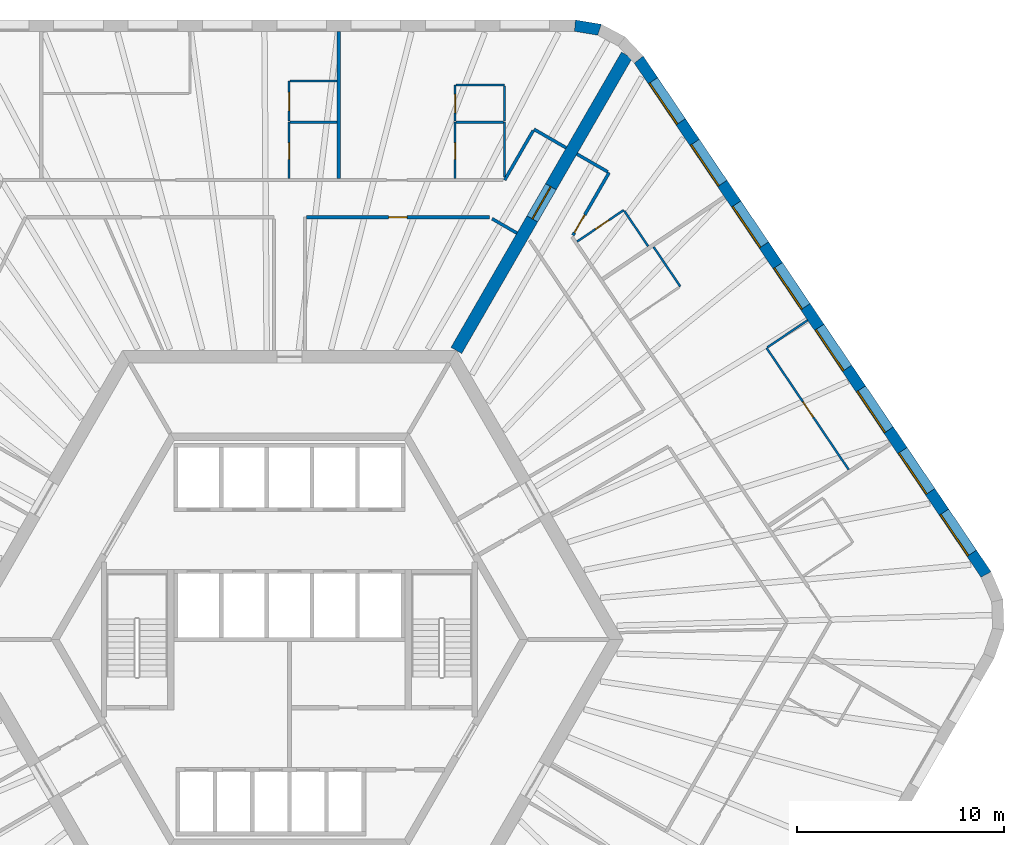
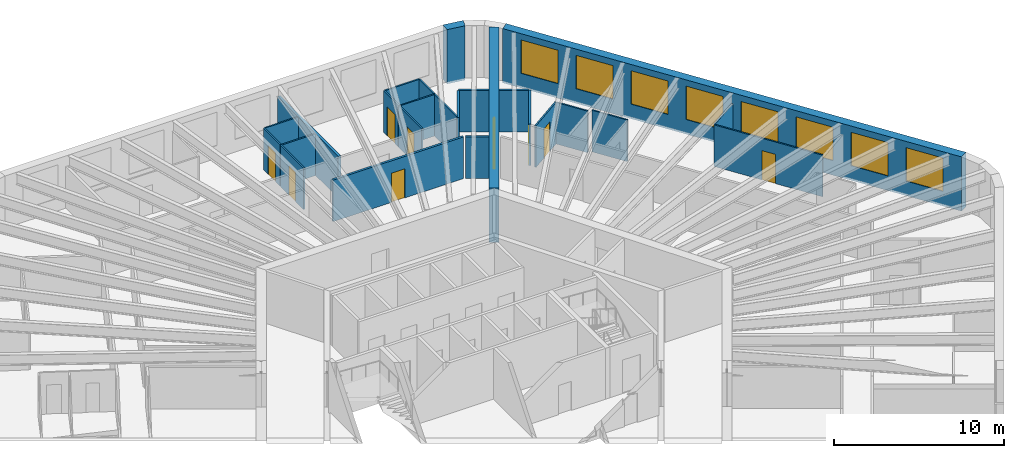
# One storey, part 10 of 12: 25 walls, 9 doors, 8 windows, 17 openings.
"""IFC4 building model written with IfcOpenShell, lengths in metres."""

from ifc_helpers import new_model, si_unit, direction, frame, frame_2d, origin, place, context, subcontext, project, spatial, polyline, rectangle, outline, extrude, material, layer, layer_set, type_object, element, fill, save


model = new_model("IFC4")

# Units and contexts
model_context = context("Model", 3, precision=1e-05, world=origin(), true_north=direction((0.0, 1.0)))
body_context = subcontext(model_context, "Body", "Model", "MODEL_VIEW")
ifc_project = project(units=[si_unit("LENGTHUNIT", "METRE"), si_unit("AREAUNIT", "SQUARE_METRE"), si_unit("VOLUMEUNIT", "CUBIC_METRE"), si_unit("PLANEANGLEUNIT", "RADIAN"), si_unit("MASSUNIT", "GRAM", prefix="KILO")], contexts=[model_context])

# Site, building, storey
site_placement = place(None, origin())
site = spatial("IfcSite", under=ifc_project, at=site_placement, CompositionType="ELEMENT")
building_placement = place(site_placement, origin())
building = spatial("IfcBuilding", under=site, at=building_placement, Name="Tarnside Tower", CompositionType="ELEMENT")
storey_placement = place(building_placement, frame((0.0, 0.0, 96.0)))
storey = spatial("IfcBuildingStorey", under=building, at=storey_placement, Name="L21", CompositionType="ELEMENT", Elevation=96.0)

# Wall, opening, door
ifc_material_1 = material(Name="Gypsum board partition on steel studs", Category="steel")
ifc_layer_1 = layer(ifc_material_1, 0.10009765625)
ifc_layer_set_1 = layer_set([ifc_layer_1], Name="Bathroom wall 100")
wall_type_1 = type_object("IfcWallType", Name="Bathroom wall 100", PredefinedType="PARTITIONING", material=ifc_layer_set_1)
wall_1_placement = place(storey_placement, frame((8.021240234375, 22.324951171875, 0.0), z_axis=(0.0, 0.0, 1.0), x_axis=(0.0, 1.0, 0.0)))
wall_1 = element("IfcWall", 1, at=wall_1_placement, inside=storey, type_object=wall_type_1, Name="Bathroom wall 06076", PredefinedType="PARTITIONING", context=body_context, shape_type="SweptSolid", body=[
    extrude(rectangle(XDim=2.72509765625, YDim=0.10009765625, at=frame_2d((1.362548828125, 0.0))), origin(), (0.0, 0.0, 1.0), 2.98779296875),
])
opening_1_placement = place(wall_1_placement, frame((0.925048828125, 0.0, 0.0)))
opening_1 = element("IfcOpeningElement", 2, at=opening_1_placement, cuts=wall_1, Name="Opening D-B1", PredefinedType="OPENING", context=body_context, shape_type="SweptSolid", body=[
    extrude(rectangle(XDim=0.800048828125, YDim=2.10009765625, at=frame_2d((0.39990234375, 1.050048828125))), frame((0.0, 0.06005859375, 0.0), z_axis=(0.0, -1.0, 0.0), x_axis=(1.0, 0.0, 0.0)), (0.0, 0.0, 1.0), 0.1201171875),
])
ifc_material_2 = material(Name="Timber door leaf", Category="wood")
door_type_1 = type_object("IfcDoorType", Name="Bathroom door 800", OperationType="NOTDEFINED", PredefinedType="DOOR", material=ifc_material_2)
door_1_placement = place(opening_1_placement, origin())
door_1 = element("IfcDoor", 3, at=door_1_placement, inside=storey, type_object=door_type_1, Name="Bathroom door 06002", OperationType="SINGLE_SWING_RIGHT", OverallHeight=2.10009765625, OverallWidth=0.800048828125, PredefinedType="DOOR", context=body_context, shape_type="SweptSolid", body=[
    extrude(rectangle(XDim=0.800048828125, YDim=2.10009765625, at=frame_2d((0.39990234375, 1.050048828125))), frame((0.0, 0.02490234375, 0.0), z_axis=(0.0, -1.0, 0.0), x_axis=(1.0, 0.0, 0.0)), (0.0, 0.0, 1.0), 0.050048828125),
])
fill(opening_1, door_1)

# Walls
wall_2_placement = place(storey_placement, frame((10.421142578125, 25.050048828125, 0.0), z_axis=(0.0, 0.0, 1.0), x_axis=(0.0, -1.0, 0.0)))
element("IfcWall", 4, at=wall_2_placement, inside=storey, type_object=wall_type_1, Name="Bathroom wall 06077", PredefinedType="PARTITIONING", context=body_context, shape_type="SweptSolid", body=[
    extrude(rectangle(XDim=2.650146484375, YDim=0.10009765625, at=frame_2d((1.3251953125, 0.0))), origin(), (0.0, 0.0, 1.0), 2.98779296875),
])
wall_3_placement = place(storey_placement, frame((10.37109375, 25.050048828125, 0.0), z_axis=(0.0, 0.0, 1.0), x_axis=(-1.0, 0.0, 0.0)))
element("IfcWall", 5, at=wall_3_placement, inside=storey, type_object=wall_type_1, Name="Bathroom wall 06084", PredefinedType="PARTITIONING", context=body_context, shape_type="SweptSolid", body=[
    extrude(rectangle(XDim=2.2998046875, YDim=0.10009765625, at=frame_2d((1.14990234375, 0.0))), origin(), (0.0, 0.0, 1.0), 2.98779296875),
])

# Wall, opening, door
wall_4_placement = place(storey_placement, frame((-0.010986328125, 22.324951171875, 0.0), z_axis=(0.0, 0.0, 1.0), x_axis=(0.0, 1.0, 0.0)))
wall_4 = element("IfcWall", 6, at=wall_4_placement, inside=storey, type_object=wall_type_1, Name="Bathroom wall 06085", PredefinedType="PARTITIONING", context=body_context, shape_type="SweptSolid", body=[
    extrude(rectangle(XDim=2.72509765625, YDim=0.10009765625, at=frame_2d((1.362548828125, 0.0))), origin(), (0.0, 0.0, 1.0), 2.98779296875),
])
opening_2_placement = place(wall_4_placement, frame((0.925048828125, 0.0, 0.0)))
opening_2 = element("IfcOpeningElement", 7, at=opening_2_placement, cuts=wall_4, Name="Opening D-B1", PredefinedType="OPENING", context=body_context, shape_type="SweptSolid", body=[
    extrude(rectangle(XDim=0.800048828125, YDim=2.10009765625, at=frame_2d((0.39990234375, 1.050048828125))), frame((0.0, 0.06005859375, 0.0), z_axis=(0.0, -1.0, 0.0), x_axis=(1.0, 0.0, 0.0)), (0.0, 0.0, 1.0), 0.1201171875),
])
door_2_placement = place(opening_2_placement, origin())
door_2 = element("IfcDoor", 8, at=door_2_placement, inside=storey, type_object=door_type_1, Name="Bathroom door 06005", OperationType="SINGLE_SWING_RIGHT", OverallHeight=2.10009765625, OverallWidth=0.800048828125, PredefinedType="DOOR", context=body_context, shape_type="SweptSolid", body=[
    extrude(rectangle(XDim=0.800048828125, YDim=2.10009765625, at=frame_2d((0.39990234375, 1.050048828125))), frame((0.0, 0.02490234375, 0.0), z_axis=(0.0, -1.0, 0.0), x_axis=(1.0, 0.0, 0.0)), (0.0, 0.0, 1.0), 0.050048828125),
])
fill(opening_2, door_2)

# Walls
wall_5_placement = place(storey_placement, frame((2.298828125, 25.050048828125, 0.0), z_axis=(0.0, 0.0, 1.0), x_axis=(-1.0, 0.0, 0.0)))
element("IfcWall", 9, at=wall_5_placement, inside=storey, type_object=wall_type_1, Name="Bathroom wall 06091", PredefinedType="PARTITIONING", context=body_context, shape_type="SweptSolid", body=[
    extrude(rectangle(XDim=2.259765625, YDim=0.10009765625, at=frame_2d((1.1298828125, 0.0))), origin(), (0.0, 0.0, 1.0), 2.98779296875),
])
wall_6_placement = place(storey_placement, frame((17.634521484375, 19.010009765625, 0.0), z_axis=(0.0, 0.0, 1.0), x_axis=(0.559204176839, -0.829029968461, 0.0)))
element("IfcWall", 10, at=wall_6_placement, inside=storey, type_object=wall_type_1, Name="Bathroom wall 06154", PredefinedType="PARTITIONING", context=body_context, shape_type="SweptSolid", body=[
    extrude(rectangle(XDim=2.31005859375, YDim=0.10009765625, at=frame_2d((1.155029296875, 0.0))), origin(), (0.0, 0.0, 1.0), 2.98779296875),
])

# Wall, opening, door
wall_7_placement = place(storey_placement, frame((13.92919921875, 19.27294921875, 0.0), z_axis=(0.0, 0.0, 1.0), x_axis=(0.829047014003, 0.559178905694, 0.0)))
wall_7 = element("IfcWall", 11, at=wall_7_placement, inside=storey, type_object=wall_type_1, Name="Bathroom wall 06161", PredefinedType="PARTITIONING", context=body_context, shape_type="SweptSolid", body=[
    extrude(rectangle(XDim=2.724853515625, YDim=0.10009765625, at=frame_2d((1.3623046875, 0.0))), origin(), (0.0, 0.0, 1.0), 2.98779296875),
])
opening_3_placement = place(wall_7_placement, frame((1.06494140625, 0.0, 0.0)))
opening_3 = element("IfcOpeningElement", 12, at=opening_3_placement, cuts=wall_7, Name="Opening D-B1", PredefinedType="OPENING", context=body_context, shape_type="SweptSolid", body=[
    extrude(rectangle(XDim=0.800048828125, YDim=2.10009765625, at=frame_2d((0.39990234375, 1.050048828125))), frame((0.0, 0.06005859375, 0.0), z_axis=(0.0, -1.0, 0.0), x_axis=(1.0, 0.0, 0.0)), (0.0, 0.0, 1.0), 0.1201171875),
])
door_3_placement = place(opening_3_placement, origin())
door_3 = element("IfcDoor", 13, at=door_3_placement, inside=storey, type_object=door_type_1, Name="Bathroom door 06041", OperationType="SINGLE_SWING_LEFT", OverallHeight=2.10009765625, OverallWidth=0.800048828125, PredefinedType="DOOR", context=body_context, shape_type="SweptSolid", body=[
    extrude(rectangle(XDim=0.800048828125, YDim=2.10009765625, at=frame_2d((0.39990234375, 1.050048828125))), frame((0.0, 0.02490234375, 0.0), z_axis=(0.0, -1.0, 0.0), x_axis=(1.0, 0.0, 0.0)), (0.0, 0.0, 1.0), 0.050048828125),
])
fill(opening_3, door_3)

# Wall
wall_8_placement = place(storey_placement, frame((16.216064453125, 20.755126953125, 0.0), z_axis=(0.0, 0.0, 1.0), x_axis=(0.559259117518, -0.828992906769, 0.0)))
element("IfcWall", 14, at=wall_8_placement, inside=storey, type_object=wall_type_1, Name="Bathroom wall 06162", PredefinedType="PARTITIONING", context=body_context, shape_type="SweptSolid", body=[
    extrude(rectangle(XDim=2.06005859375, YDim=0.10009765625, at=frame_2d((1.030029296875, 0.0))), origin(), (0.0, 0.0, 1.0), 2.98779296875),
])

# Wall, opening, door
ifc_material_3 = material(Name="Concrete C80/95", Category="concrete")
ifc_layer_2 = layer(ifc_material_3, 0.60009765625)
ifc_layer_set_2 = layer_set([ifc_layer_2], Name="Core wall Z1 600 C80/95")
wall_type_2 = type_object("IfcWallType", Name="Core wall Z1 600 C80/95", PredefinedType="SHEAR", material=ifc_layer_set_2)
wall_9_placement = place(storey_placement, frame((8.0830078125, 14.0, -0.14990234375), z_axis=(0.0, 0.0, 1.0), x_axis=(0.499997680643, 0.866026742862, 0.0)))
wall_9 = element("IfcWall", 15, at=wall_9_placement, inside=storey, type_object=wall_type_2, Name="L21 spine wall 1", PredefinedType="SHEAR", context=body_context, shape_type="SweptSolid", body=[
    extrude(rectangle(XDim=16.5087890625, YDim=0.60009765625, at=frame_2d((8.25439453125, 0.0))), origin(), (0.0, 0.0, 1.0), 3.89990234375),
])
opening_4_placement = place(wall_9_placement, frame((7.3544921875, 0.0, 0.14990234375)))
opening_4 = element("IfcOpeningElement", 16, at=opening_4_placement, cuts=wall_9, Name="Opening CD-SPN", PredefinedType="OPENING", context=body_context, shape_type="SweptSolid", body=[
    extrude(rectangle(XDim=1.800048828125, YDim=2.39990234375, at=frame_2d((0.89990234375, 1.199951171875))), frame((0.0, 0.31005859375, 0.0), z_axis=(0.0, -1.0, 0.0), x_axis=(1.0, 0.0, 0.0)), (0.0, 0.0, 1.0), 0.6201171875),
])
ifc_material_4 = material(Name="Steel fire door", Category="steel")
door_type_2 = type_object("IfcDoorType", Name="Spine passage double door FD60 1800x2400", OperationType="NOTDEFINED", PredefinedType="DOOR", material=ifc_material_4)
door_4_placement = place(opening_4_placement, origin())
door_4 = element("IfcDoor", 17, at=door_4_placement, inside=storey, type_object=door_type_2, Name="L21 spine passage door 1", OperationType="DOUBLE_DOOR_SINGLE_SWING", OverallHeight=2.39990234375, OverallWidth=1.800048828125, PredefinedType="DOOR", context=body_context, shape_type="SweptSolid", body=[
    extrude(rectangle(XDim=1.800048828125, YDim=2.39990234375, at=frame_2d((0.89990234375, 1.199951171875))), frame((0.0, 0.02490234375, 0.0), z_axis=(0.0, -1.0, 0.0), x_axis=(1.0, 0.0, 0.0)), (0.0, 0.0, 1.0), 0.050048828125),
])
fill(opening_4, door_4)

# Walls
ifc_layer_3 = layer(ifc_material_1, 0.14990234375)
ifc_layer_set_3 = layer_set([ifc_layer_3], Name="Corridor wall 150 EI 60")
wall_type_3 = type_object("IfcWallType", Name="Corridor wall 150 EI 60", PredefinedType="PARTITIONING", material=ifc_layer_set_3)
wall_10_placement = place(storey_placement, frame((13.400390625, 23.81005859375, 0.0), z_axis=(0.0, 0.0, 1.0), x_axis=(-0.865989075817, 0.500062916607, 0.0)))
element("IfcWall", 18, at=wall_10_placement, inside=storey, type_object=wall_type_3, Name="Corridor wall 06002", PredefinedType="PARTITIONING", context=body_context, shape_type="SweptSolid", body=[
    extrude(rectangle(XDim=1.800048828125, YDim=0.14990234375, at=frame_2d((0.89990234375, 0.0))), origin(), (0.0, 0.0, 1.0), 2.98779296875),
])
wall_11_placement = place(storey_placement, frame((11.803955078125, 24.64501953125, 0.0), z_axis=(0.0, 0.0, 1.0), x_axis=(-0.500012835235, -0.866017993231, 0.0)))
element("IfcWall", 19, at=wall_11_placement, inside=storey, type_object=wall_type_3, Name="Corridor wall 06003", PredefinedType="PARTITIONING", context=body_context, shape_type="SweptSolid", body=[
    extrude(rectangle(XDim=2.765625, YDim=0.14990234375, at=frame_2d((1.3828125, 0.0))), origin(), (0.0, 0.0, 1.0), 2.98779296875),
])

# Wall, opening, door
wall_12_placement = place(storey_placement, frame((0.824951171875, 20.449951171875, 0.0), z_axis=(0.0, 0.0, 1.0), x_axis=(1.0, 0.0, 0.0)))
wall_12 = element("IfcWall", 20, at=wall_12_placement, inside=storey, type_object=wall_type_3, Name="Corridor wall 06021", PredefinedType="PARTITIONING", context=body_context, shape_type="SweptSolid", body=[
    extrude(rectangle(XDim=8.860107421875, YDim=0.14990234375, at=frame_2d((4.43017578125, 0.0))), origin(), (0.0, 0.0, 1.0), 2.98779296875),
])
opening_5_placement = place(wall_12_placement, frame((3.97998046875, 0.0, 0.0)))
opening_5 = element("IfcOpeningElement", 21, at=opening_5_placement, cuts=wall_12, Name="Opening D-S1", PredefinedType="OPENING", context=body_context, shape_type="SweptSolid", body=[
    extrude(rectangle(XDim=0.89990234375, YDim=2.10009765625, at=frame_2d((0.449951171875, 1.050048828125))), frame((0.0, 0.0849609375, 0.0), z_axis=(0.0, -1.0, 0.0), x_axis=(1.0, 0.0, 0.0)), (0.0, 0.0, 1.0), 0.169921875),
])
door_type_3 = type_object("IfcDoorType", Name="Service room door 900 FD30S", OperationType="NOTDEFINED", PredefinedType="DOOR", material=ifc_material_2)
door_5_placement = place(opening_5_placement, origin())
door_5 = element("IfcDoor", 22, at=door_5_placement, inside=storey, type_object=door_type_3, Name="Service door 06044", OperationType="SINGLE_SWING_LEFT", OverallHeight=2.10009765625, OverallWidth=0.89990234375, PredefinedType="DOOR", context=body_context, shape_type="SweptSolid", body=[
    extrude(rectangle(XDim=0.89990234375, YDim=2.10009765625, at=frame_2d((0.449951171875, 1.050048828125))), frame((0.0, 0.02490234375, 0.0), z_axis=(0.0, -1.0, 0.0), x_axis=(1.0, 0.0, 0.0)), (0.0, 0.0, 1.0), 0.050048828125),
])
fill(opening_5, door_5)

# Wall
wall_13_placement = place(storey_placement, frame((9.81494140625, 20.375, 0.0), z_axis=(0.0, 0.0, 1.0), x_axis=(0.86600392025, -0.500037208726, 0.0)))
element("IfcWall", 23, at=wall_13_placement, inside=storey, type_object=wall_type_3, Name="Corridor wall 06022", PredefinedType="PARTITIONING", context=body_context, shape_type="SweptSolid", body=[
    extrude(rectangle(XDim=1.3876953125, YDim=0.14990234375, at=frame_2d((0.69384765625, 0.0))), origin(), (0.0, 0.0, 1.0), 2.98779296875),
])

# Wall, opening, door
wall_14_placement = place(storey_placement, frame((13.72607421875, 19.573974609375, 0.0), z_axis=(0.0, 0.0, 1.0), x_axis=(0.499951531933, 0.866053385028, 0.0)))
wall_14 = element("IfcWall", 24, at=wall_14_placement, inside=storey, type_object=wall_type_3, Name="Corridor wall 06063", PredefinedType="PARTITIONING", context=body_context, shape_type="SweptSolid", body=[
    extrude(rectangle(XDim=3.505615234375, YDim=0.14990234375, at=frame_2d((1.7529296875, 0.0))), origin(), (0.0, 0.0, 1.0), 2.98779296875),
])
opening_6_placement = place(wall_14_placement, frame((0.14990234375, 0.0, 0.0)))
opening_6 = element("IfcOpeningElement", 25, at=opening_6_placement, cuts=wall_14, Name="Opening D-E1", PredefinedType="OPENING", context=body_context, shape_type="SweptSolid", body=[
    extrude(rectangle(XDim=1.0, YDim=2.10009765625, at=frame_2d((0.5, 1.050048828125))), frame((0.0, 0.0849609375, 0.0), z_axis=(0.0, -1.0, 0.0), x_axis=(1.0, 0.0, 0.0)), (0.0, 0.0, 1.0), 0.169921875),
])
door_type_4 = type_object("IfcDoorType", Name="Unit entrance door 1000 FD30S", OperationType="NOTDEFINED", PredefinedType="DOOR", material=ifc_material_2)
door_6_placement = place(opening_6_placement, origin())
door_6 = element("IfcDoor", 26, at=door_6_placement, inside=storey, type_object=door_type_4, Name="Unit door 06040", OperationType="SINGLE_SWING_LEFT", OverallHeight=2.10009765625, OverallWidth=1.0, PredefinedType="DOOR", context=body_context, shape_type="SweptSolid", body=[
    extrude(rectangle(XDim=1.0, YDim=2.10009765625, at=frame_2d((0.5, 1.050048828125))), frame((0.0, 0.02490234375, 0.0), z_axis=(0.0, -1.0, 0.0), x_axis=(1.0, 0.0, 0.0)), (0.0, 0.0, 1.0), 0.050048828125),
])
fill(opening_6, door_6)

# Walls
wall_15_placement = place(storey_placement, frame((15.413818359375, 22.647705078125, 0.0), z_axis=(0.0, 0.0, 1.0), x_axis=(-0.866074815912, 0.499914405916, 0.0)))
element("IfcWall", 27, at=wall_15_placement, inside=storey, type_object=wall_type_3, Name="Corridor wall 06064", PredefinedType="PARTITIONING", context=body_context, shape_type="SweptSolid", body=[
    extrude(rectangle(XDim=1.724853515625, YDim=0.14990234375, at=frame_2d((0.8623046875, 0.0))), origin(), (0.0, 0.0, 1.0), 2.98779296875),
])
ifc_layer_4 = layer(ifc_material_1, 0.179931640625)
ifc_layer_set_4 = layer_set([ifc_layer_4], Name="Demising wall 180 EI 60")
wall_type_4 = type_object("IfcWallType", Name="Demising wall 180 EI 60", PredefinedType="PARTITIONING", material=ifc_layer_set_4)
wall_16_placement = place(storey_placement, frame((2.388916015625, 29.449951171875, 0.0), z_axis=(0.0, 0.0, 1.0), x_axis=(0.0, -1.0, 0.0)))
element("IfcWall", 28, at=wall_16_placement, inside=storey, type_object=wall_type_4, Name="Demising wall 06081", PredefinedType="PARTITIONING", context=body_context, shape_type="SweptSolid", body=[
    extrude(rectangle(XDim=7.125, YDim=0.179931640625, at=frame_2d((3.5625, 0.0))), origin(), (0.0, 0.0, 1.0), 2.98779296875),
])

# Wall, opening, door
ifc_layer_5 = layer(ifc_material_1, 0.10009765625)
ifc_layer_set_5 = layer_set([ifc_layer_5], Name="Partition 100")
wall_type_5 = type_object("IfcWallType", Name="Partition 100", PredefinedType="PARTITIONING", material=ifc_layer_set_5)
wall_17_placement = place(storey_placement, frame((8.021240234375, 25.10009765625, 0.0), z_axis=(0.0, 0.0, 1.0), x_axis=(0.0, 1.0, 0.0)))
wall_17 = element("IfcWall", 29, at=wall_17_placement, inside=storey, type_object=wall_type_5, Name="Partition wall 06078", PredefinedType="PARTITIONING", context=body_context, shape_type="SweptSolid", body=[
    extrude(rectangle(XDim=1.75, YDim=0.10009765625, at=frame_2d((0.875, 0.0))), origin(), (0.0, 0.0, 1.0), 2.98779296875),
])
opening_7_placement = place(wall_17_placement, frame((0.39990234375, 0.0, 0.0)))
opening_7 = element("IfcOpeningElement", 30, at=opening_7_placement, cuts=wall_17, Name="Opening D-I1", PredefinedType="OPENING", context=body_context, shape_type="SweptSolid", body=[
    extrude(rectangle(XDim=0.89990234375, YDim=2.10009765625, at=frame_2d((0.449951171875, 1.050048828125))), frame((0.0, 0.06005859375, 0.0), z_axis=(0.0, -1.0, 0.0), x_axis=(1.0, 0.0, 0.0)), (0.0, 0.0, 1.0), 0.1201171875),
])
door_type_5 = type_object("IfcDoorType", Name="Internal door 900", OperationType="NOTDEFINED", PredefinedType="DOOR", material=ifc_material_2)
door_7_placement = place(opening_7_placement, origin())
door_7 = element("IfcDoor", 31, at=door_7_placement, inside=storey, type_object=door_type_5, Name="Internal door 06003", OperationType="SINGLE_SWING_RIGHT", OverallHeight=2.10009765625, OverallWidth=0.89990234375, PredefinedType="DOOR", context=body_context, shape_type="SweptSolid", body=[
    extrude(rectangle(XDim=0.89990234375, YDim=2.10009765625, at=frame_2d((0.449951171875, 1.050048828125))), frame((0.0, 0.02490234375, 0.0), z_axis=(0.0, -1.0, 0.0), x_axis=(1.0, 0.0, 0.0)), (0.0, 0.0, 1.0), 0.050048828125),
])
fill(opening_7, door_7)

# Walls
wall_18_placement = place(storey_placement, frame((8.0712890625, 26.85009765625, 0.0), z_axis=(0.0, 0.0, 1.0), x_axis=(1.0, 0.0, 0.0)))
element("IfcWall", 32, at=wall_18_placement, inside=storey, type_object=wall_type_5, Name="Partition wall 06079", PredefinedType="PARTITIONING", context=body_context, shape_type="SweptSolid", body=[
    extrude(rectangle(XDim=2.349853515625, YDim=0.10009765625, at=frame_2d((1.1748046875, 0.0))), origin(), (0.0, 0.0, 1.0), 2.98779296875),
])
wall_19_placement = place(storey_placement, frame((10.421142578125, 26.800048828125, 0.0), z_axis=(0.0, 0.0, 1.0), x_axis=(0.0, -1.0, 0.0)))
element("IfcWall", 33, at=wall_19_placement, inside=storey, type_object=wall_type_5, Name="Partition wall 06080", PredefinedType="PARTITIONING", context=body_context, shape_type="SweptSolid", body=[
    extrude(rectangle(XDim=1.699951171875, YDim=0.10009765625, at=frame_2d((0.85009765625, 0.0))), origin(), (0.0, 0.0, 1.0), 2.98779296875),
])

# Wall, opening, door
wall_20_placement = place(storey_placement, frame((-0.010986328125, 25.10009765625, 0.0), z_axis=(0.0, 0.0, 1.0), x_axis=(0.0, 1.0, 0.0)))
wall_20 = element("IfcWall", 34, at=wall_20_placement, inside=storey, type_object=wall_type_5, Name="Partition wall 06086", PredefinedType="PARTITIONING", context=body_context, shape_type="SweptSolid", body=[
    extrude(rectangle(XDim=1.949951171875, YDim=0.10009765625, at=frame_2d((0.97509765625, 0.0))), origin(), (0.0, 0.0, 1.0), 2.98779296875),
])
opening_8_placement = place(wall_20_placement, frame((0.5, 0.0, 0.0)))
opening_8 = element("IfcOpeningElement", 35, at=opening_8_placement, cuts=wall_20, Name="Opening D-I1", PredefinedType="OPENING", context=body_context, shape_type="SweptSolid", body=[
    extrude(rectangle(XDim=0.89990234375, YDim=2.10009765625, at=frame_2d((0.449951171875, 1.050048828125))), frame((0.0, 0.06005859375, 0.0), z_axis=(0.0, -1.0, 0.0), x_axis=(1.0, 0.0, 0.0)), (0.0, 0.0, 1.0), 0.1201171875),
])
door_8_placement = place(opening_8_placement, origin())
door_8 = element("IfcDoor", 36, at=door_8_placement, inside=storey, type_object=door_type_5, Name="Internal door 06006", OperationType="SINGLE_SWING_RIGHT", OverallHeight=2.10009765625, OverallWidth=0.89990234375, PredefinedType="DOOR", context=body_context, shape_type="SweptSolid", body=[
    extrude(rectangle(XDim=0.89990234375, YDim=2.10009765625, at=frame_2d((0.449951171875, 1.050048828125))), frame((0.0, 0.02490234375, 0.0), z_axis=(0.0, -1.0, 0.0), x_axis=(1.0, 0.0, 0.0)), (0.0, 0.0, 1.0), 0.050048828125),
])
fill(opening_8, door_8)

# Wall
wall_21_placement = place(storey_placement, frame((0.0390625, 27.050048828125, 0.0), z_axis=(0.0, 0.0, 1.0), x_axis=(1.0, 0.0, 0.0)))
element("IfcWall", 37, at=wall_21_placement, inside=storey, type_object=wall_type_5, Name="Partition wall 06087", PredefinedType="PARTITIONING", context=body_context, shape_type="SweptSolid", body=[
    extrude(rectangle(XDim=2.259765625, YDim=0.10009765625, at=frame_2d((1.1298828125, 0.0))), origin(), (0.0, 0.0, 1.0), 2.98779296875),
])

# Wall, opening, door
wall_22_placement = place(storey_placement, frame((27.07861328125, 8.227783203125, 0.0), z_axis=(0.0, 0.0, 1.0), x_axis=(-0.559200948469, 0.829032146078, 0.0)))
wall_22 = element("IfcWall", 38, at=wall_22_placement, inside=storey, type_object=wall_type_5, Name="Partition wall 06156", PredefinedType="PARTITIONING", context=body_context, shape_type="SweptSolid", body=[
    extrude(rectangle(XDim=7.10986328125, YDim=0.10009765625, at=frame_2d((3.554931640625, 0.0))), origin(), (0.0, 0.0, 1.0), 2.98779296875),
])
opening_9_placement = place(wall_22_placement, frame((3.06005859375, 0.0, 0.0)))
opening_9 = element("IfcOpeningElement", 39, at=opening_9_placement, cuts=wall_22, Name="Opening D-I1", PredefinedType="OPENING", context=body_context, shape_type="SweptSolid", body=[
    extrude(rectangle(XDim=0.89990234375, YDim=2.10009765625, at=frame_2d((0.449951171875, 1.050048828125))), frame((0.0, 0.06005859375, 0.0), z_axis=(0.0, -1.0, 0.0), x_axis=(1.0, 0.0, 0.0)), (0.0, 0.0, 1.0), 0.1201171875),
])
door_9_placement = place(opening_9_placement, origin())
door_9 = element("IfcDoor", 40, at=door_9_placement, inside=storey, type_object=door_type_5, Name="Internal door 06039", OperationType="SINGLE_SWING_RIGHT", OverallHeight=2.10009765625, OverallWidth=0.89990234375, PredefinedType="DOOR", context=body_context, shape_type="SweptSolid", body=[
    extrude(rectangle(XDim=0.89990234375, YDim=2.10009765625, at=frame_2d((0.449951171875, 1.050048828125))), frame((0.0, 0.02490234375, 0.0), z_axis=(0.0, -1.0, 0.0), x_axis=(1.0, 0.0, 0.0)), (0.0, 0.0, 1.0), 0.050048828125),
])
fill(opening_9, door_9)

# Wall
wall_23_placement = place(storey_placement, frame((23.14404296875, 14.150146484375, 0.0), z_axis=(0.0, 0.0, 1.0), x_axis=(0.829065408555, 0.559151632687, 0.0)))
element("IfcWall", 41, at=wall_23_placement, inside=storey, type_object=wall_type_5, Name="Partition wall 06157", PredefinedType="PARTITIONING", context=body_context, shape_type="SweptSolid", body=[
    extrude(rectangle(XDim=2.349853515625, YDim=0.10009765625, at=frame_2d((1.1748046875, 0.0))), origin(), (0.0, 0.0, 1.0), 2.98779296875),
])

# Wall, openings, windows
ifc_material_5 = material(Name="Facing brick", Category="masonry")
ifc_layer_6 = layer(ifc_material_5, 0.10205078125)
ifc_material_6 = material(Name="Concrete C60/75 precast", Category="concrete")
ifc_layer_7 = layer(ifc_material_6, 0.347900390625)
ifc_material_7 = material(Name="Mineral wool insulation")
ifc_layer_8 = layer(ifc_material_7, 0.10009765625)
ifc_layer_set_6 = layer_set([ifc_layer_6, ifc_layer_7, ifc_layer_8], Name="Tube wall 550 brick faced")
wall_type_6 = type_object("IfcWallType", Name="Tube wall 550 brick faced", PredefinedType="SOLIDWALL", material=ifc_layer_set_6)
wall_24_placement = place(storey_placement, frame((33.72802734375, 3.153076171875, -0.14990234375), z_axis=(0.0, 0.0, 1.0), x_axis=(-0.559192411416, 0.82903790445, 0.0)))
wall_24 = element("IfcWall", 42, at=wall_24_placement, inside=storey, type_object=wall_type_6, Name="Tube wall L21 F6 flush 20", PredefinedType="SOLIDWALL", context=body_context, shape_type="SweptSolid", body=[
    extrude(outline(polyline([(-0.025634765625, -0.27490234375), (30.09326171875, -0.27490234375), (30.04833984375, 0.27490234375), (0.025634765625, 0.27490234375), (-0.025634765625, -0.27490234375)])), origin(), (0.0, 0.0, 1.0), 3.89990234375),
])
opening_10_placement = place(wall_24_placement, frame((1.235595703125, 0.0, 1.050048828125)))
opening_10 = element("IfcOpeningElement", 43, at=opening_10_placement, cuts=wall_24, Name="Opening WH", PredefinedType="OPENING", context=body_context, shape_type="SweptSolid", body=[
    extrude(rectangle(XDim=2.39990234375, YDim=2.39990234375, at=frame_2d((1.199951171875, 1.199951171875))), frame((0.0, 0.28515625, 0.0), z_axis=(0.0, -1.0, 0.0), x_axis=(1.0, 0.0, 0.0)), (0.0, 0.0, 1.0), 0.570068359375),
])
opening_11_placement = place(wall_24_placement, frame((4.83544921875, 0.0, 1.050048828125)))
opening_11 = element("IfcOpeningElement", 44, at=opening_11_placement, cuts=wall_24, Name="Opening WH", PredefinedType="OPENING", context=body_context, shape_type="SweptSolid", body=[
    extrude(rectangle(XDim=2.39990234375, YDim=2.39990234375, at=frame_2d((1.199951171875, 1.199951171875))), frame((0.0, 0.28515625, 0.0), z_axis=(0.0, -1.0, 0.0), x_axis=(1.0, 0.0, 0.0)), (0.0, 0.0, 1.0), 0.570068359375),
])
opening_12_placement = place(wall_24_placement, frame((8.435546875, 0.0, 1.050048828125)))
opening_12 = element("IfcOpeningElement", 45, at=opening_12_placement, cuts=wall_24, Name="Opening WH", PredefinedType="OPENING", context=body_context, shape_type="SweptSolid", body=[
    extrude(rectangle(XDim=2.39990234375, YDim=2.39990234375, at=frame_2d((1.199951171875, 1.199951171875))), frame((0.0, 0.28515625, 0.0), z_axis=(0.0, -1.0, 0.0), x_axis=(1.0, 0.0, 0.0)), (0.0, 0.0, 1.0), 0.570068359375),
])
opening_13_placement = place(wall_24_placement, frame((12.035400390625, 0.0, 1.050048828125)))
opening_13 = element("IfcOpeningElement", 46, at=opening_13_placement, cuts=wall_24, Name="Opening WH", PredefinedType="OPENING", context=body_context, shape_type="SweptSolid", body=[
    extrude(rectangle(XDim=2.39990234375, YDim=2.39990234375, at=frame_2d((1.199951171875, 1.199951171875))), frame((0.0, 0.28515625, 0.0), z_axis=(0.0, -1.0, 0.0), x_axis=(1.0, 0.0, 0.0)), (0.0, 0.0, 1.0), 0.570068359375),
])
opening_14_placement = place(wall_24_placement, frame((15.635498046875, 0.0, 1.050048828125)))
opening_14 = element("IfcOpeningElement", 47, at=opening_14_placement, cuts=wall_24, Name="Opening WH", PredefinedType="OPENING", context=body_context, shape_type="SweptSolid", body=[
    extrude(rectangle(XDim=2.39990234375, YDim=2.39990234375, at=frame_2d((1.199951171875, 1.199951171875))), frame((0.0, 0.28515625, 0.0), z_axis=(0.0, -1.0, 0.0), x_axis=(1.0, 0.0, 0.0)), (0.0, 0.0, 1.0), 0.570068359375),
])
opening_15_placement = place(wall_24_placement, frame((19.235595703125, 0.0, 1.050048828125)))
opening_15 = element("IfcOpeningElement", 48, at=opening_15_placement, cuts=wall_24, Name="Opening WH", PredefinedType="OPENING", context=body_context, shape_type="SweptSolid", body=[
    extrude(rectangle(XDim=2.39990234375, YDim=2.39990234375, at=frame_2d((1.199951171875, 1.199951171875))), frame((0.0, 0.28515625, 0.0), z_axis=(0.0, -1.0, 0.0), x_axis=(1.0, 0.0, 0.0)), (0.0, 0.0, 1.0), 0.570068359375),
])
opening_16_placement = place(wall_24_placement, frame((22.83544921875, 0.0, 1.050048828125)))
opening_16 = element("IfcOpeningElement", 49, at=opening_16_placement, cuts=wall_24, Name="Opening WH", PredefinedType="OPENING", context=body_context, shape_type="SweptSolid", body=[
    extrude(rectangle(XDim=2.39990234375, YDim=2.39990234375, at=frame_2d((1.199951171875, 1.199951171875))), frame((0.0, 0.28515625, 0.0), z_axis=(0.0, -1.0, 0.0), x_axis=(1.0, 0.0, 0.0)), (0.0, 0.0, 1.0), 0.570068359375),
])
opening_17_placement = place(wall_24_placement, frame((26.435546875, 0.0, 1.050048828125)))
opening_17 = element("IfcOpeningElement", 50, at=opening_17_placement, cuts=wall_24, Name="Opening WH", PredefinedType="OPENING", context=body_context, shape_type="SweptSolid", body=[
    extrude(rectangle(XDim=2.39990234375, YDim=2.39990234375, at=frame_2d((1.199951171875, 1.199951171875))), frame((0.0, 0.28515625, 0.0), z_axis=(0.0, -1.0, 0.0), x_axis=(1.0, 0.0, 0.0)), (0.0, 0.0, 1.0), 0.570068359375),
])
ifc_material_8 = material(Name="Aluminium-framed double glazing", Category="aluminium")
window_type = type_object("IfcWindowType", Name="Hotel window 2400 x 2400", PartitioningType="DOUBLE_PANEL_VERTICAL", PredefinedType="WINDOW", material=ifc_material_8)
window_1_placement = place(opening_10_placement, frame((0.0, 0.205078125, 0.0)))
window_1 = element("IfcWindow", 51, at=window_1_placement, inside=storey, type_object=window_type, Name="E.WN.L21.F6.00", OverallHeight=2.39990234375, OverallWidth=2.39990234375, PartitioningType="DOUBLE_PANEL_VERTICAL", PredefinedType="WINDOW", context=body_context, shape_type="SweptSolid", body=[
    extrude(rectangle(XDim=2.39990234375, YDim=2.39990234375, at=frame_2d((1.199951171875, 1.199951171875))), frame((0.0, 0.030029296875, 0.0), z_axis=(0.0, -1.0, 0.0), x_axis=(1.0, 0.0, 0.0)), (0.0, 0.0, 1.0), 0.06005859375),
])
fill(opening_10, window_1)
window_2_placement = place(opening_11_placement, frame((0.0, 0.205078125, 0.0)))
window_2 = element("IfcWindow", 52, at=window_2_placement, inside=storey, type_object=window_type, Name="E.WN.L21.F6.01", OverallHeight=2.39990234375, OverallWidth=2.39990234375, PartitioningType="DOUBLE_PANEL_VERTICAL", PredefinedType="WINDOW", context=body_context, shape_type="SweptSolid", body=[
    extrude(rectangle(XDim=2.39990234375, YDim=2.39990234375, at=frame_2d((1.199951171875, 1.199951171875))), frame((0.0, 0.030029296875, 0.0), z_axis=(0.0, -1.0, 0.0), x_axis=(1.0, 0.0, 0.0)), (0.0, 0.0, 1.0), 0.06005859375),
])
fill(opening_11, window_2)
window_3_placement = place(opening_12_placement, frame((0.0, 0.205078125, 0.0)))
window_3 = element("IfcWindow", 53, at=window_3_placement, inside=storey, type_object=window_type, Name="E.WN.L21.F6.02", OverallHeight=2.39990234375, OverallWidth=2.39990234375, PartitioningType="DOUBLE_PANEL_VERTICAL", PredefinedType="WINDOW", context=body_context, shape_type="SweptSolid", body=[
    extrude(rectangle(XDim=2.39990234375, YDim=2.39990234375, at=frame_2d((1.199951171875, 1.199951171875))), frame((0.0, 0.030029296875, 0.0), z_axis=(0.0, -1.0, 0.0), x_axis=(1.0, 0.0, 0.0)), (0.0, 0.0, 1.0), 0.06005859375),
])
fill(opening_12, window_3)
window_4_placement = place(opening_13_placement, frame((0.0, 0.205078125, 0.0)))
window_4 = element("IfcWindow", 54, at=window_4_placement, inside=storey, type_object=window_type, Name="E.WN.L21.F6.03", OverallHeight=2.39990234375, OverallWidth=2.39990234375, PartitioningType="DOUBLE_PANEL_VERTICAL", PredefinedType="WINDOW", context=body_context, shape_type="SweptSolid", body=[
    extrude(rectangle(XDim=2.39990234375, YDim=2.39990234375, at=frame_2d((1.199951171875, 1.199951171875))), frame((0.0, 0.030029296875, 0.0), z_axis=(0.0, -1.0, 0.0), x_axis=(1.0, 0.0, 0.0)), (0.0, 0.0, 1.0), 0.06005859375),
])
fill(opening_13, window_4)
window_5_placement = place(opening_14_placement, frame((0.0, 0.205078125, 0.0)))
window_5 = element("IfcWindow", 55, at=window_5_placement, inside=storey, type_object=window_type, Name="E.WN.L21.F6.04", OverallHeight=2.39990234375, OverallWidth=2.39990234375, PartitioningType="DOUBLE_PANEL_VERTICAL", PredefinedType="WINDOW", context=body_context, shape_type="SweptSolid", body=[
    extrude(rectangle(XDim=2.39990234375, YDim=2.39990234375, at=frame_2d((1.199951171875, 1.199951171875))), frame((0.0, 0.030029296875, 0.0), z_axis=(0.0, -1.0, 0.0), x_axis=(1.0, 0.0, 0.0)), (0.0, 0.0, 1.0), 0.06005859375),
])
fill(opening_14, window_5)
window_6_placement = place(opening_15_placement, frame((0.0, 0.205078125, 0.0)))
window_6 = element("IfcWindow", 56, at=window_6_placement, inside=storey, type_object=window_type, Name="E.WN.L21.F6.05", OverallHeight=2.39990234375, OverallWidth=2.39990234375, PartitioningType="DOUBLE_PANEL_VERTICAL", PredefinedType="WINDOW", context=body_context, shape_type="SweptSolid", body=[
    extrude(rectangle(XDim=2.39990234375, YDim=2.39990234375, at=frame_2d((1.199951171875, 1.199951171875))), frame((0.0, 0.030029296875, 0.0), z_axis=(0.0, -1.0, 0.0), x_axis=(1.0, 0.0, 0.0)), (0.0, 0.0, 1.0), 0.06005859375),
])
fill(opening_15, window_6)
window_7_placement = place(opening_16_placement, frame((0.0, 0.205078125, 0.0)))
window_7 = element("IfcWindow", 57, at=window_7_placement, inside=storey, type_object=window_type, Name="E.WN.L21.F6.06", OverallHeight=2.39990234375, OverallWidth=2.39990234375, PartitioningType="DOUBLE_PANEL_VERTICAL", PredefinedType="WINDOW", context=body_context, shape_type="SweptSolid", body=[
    extrude(rectangle(XDim=2.39990234375, YDim=2.39990234375, at=frame_2d((1.199951171875, 1.199951171875))), frame((0.0, 0.030029296875, 0.0), z_axis=(0.0, -1.0, 0.0), x_axis=(1.0, 0.0, 0.0)), (0.0, 0.0, 1.0), 0.06005859375),
])
fill(opening_16, window_7)
window_8_placement = place(opening_17_placement, frame((0.0, 0.205078125, 0.0)))
window_8 = element("IfcWindow", 58, at=window_8_placement, inside=storey, type_object=window_type, Name="E.WN.L21.F6.07", OverallHeight=2.39990234375, OverallWidth=2.39990234375, PartitioningType="DOUBLE_PANEL_VERTICAL", PredefinedType="WINDOW", context=body_context, shape_type="SweptSolid", body=[
    extrude(rectangle(XDim=2.39990234375, YDim=2.39990234375, at=frame_2d((1.199951171875, 1.199951171875))), frame((0.0, 0.030029296875, 0.0), z_axis=(0.0, -1.0, 0.0), x_axis=(1.0, 0.0, 0.0)), (0.0, 0.0, 1.0), 0.06005859375),
])
fill(opening_17, window_8)

# Wall
wall_25_placement = place(storey_placement, frame((15.0166015625, 29.529052734375, -0.14990234375), z_axis=(0.0, 0.0, 1.0), x_axis=(-0.986746625868, 0.162268593195, 0.0)))
element("IfcWall", 59, at=wall_25_placement, inside=storey, type_object=wall_type_6, Name="Tube wall L21 F6 chord 23", PredefinedType="SOLIDWALL", context=body_context, shape_type="SweptSolid", body=[
    extrude(outline(polyline([(-0.045166015625, -0.27490234375), (1.230712890625, -0.27490234375), (1.185791015625, 0.27490234375), (0.045166015625, 0.27490234375), (-0.045166015625, -0.27490234375)])), origin(), (0.0, 0.0, 1.0), 3.89990234375),
])

save(model, "model.ifc")
